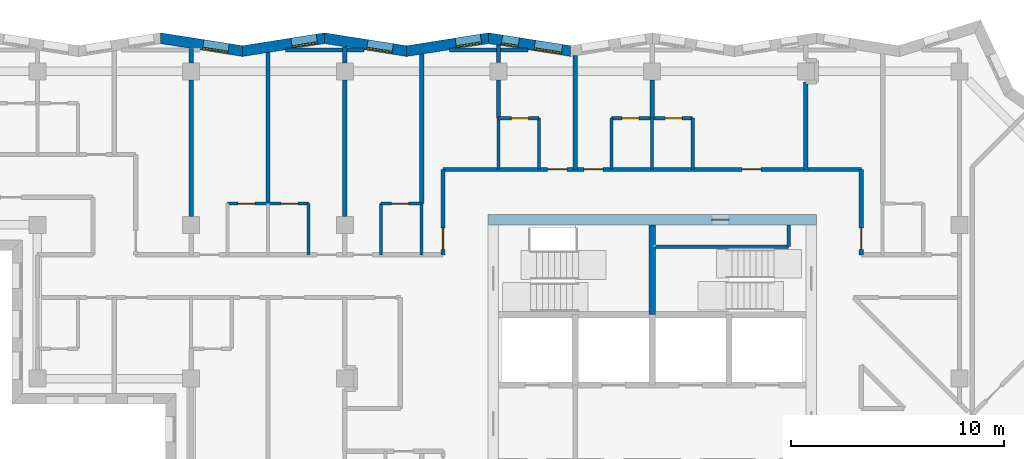
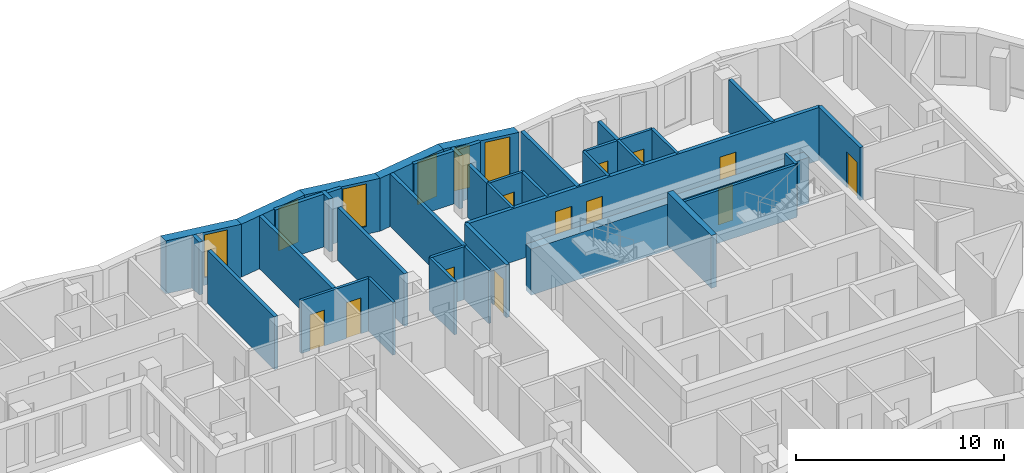
# One storey, part 7 of 13: 37 walls, 12 doors, 6 windows, 18 openings.
"""IFC4 building model written with IfcOpenShell, lengths in metres."""

from ifc_helpers import new_model, si_unit, direction, frame, frame_2d, origin, place, context, subcontext, project, spatial, polyline, rectangle, outline, extrude, material, layer, layer_set, type_object, element, fill, save


model = new_model("IFC4")

# Units and contexts
model_context = context("Model", 3, precision=1e-05, world=origin(), true_north=direction((0.0, 1.0)))
body_context = subcontext(model_context, "Body", "Model", "MODEL_VIEW")
ifc_project = project(units=[si_unit("LENGTHUNIT", "METRE"), si_unit("AREAUNIT", "SQUARE_METRE"), si_unit("VOLUMEUNIT", "CUBIC_METRE"), si_unit("PLANEANGLEUNIT", "RADIAN"), si_unit("MASSUNIT", "GRAM", prefix="KILO")], contexts=[model_context])

# Site, building, storey
site_placement = place(None, origin())
site = spatial("IfcSite", under=ifc_project, at=site_placement, CompositionType="ELEMENT")
building_placement = place(site_placement, origin())
building = spatial("IfcBuilding", under=site, at=building_placement, Name="Windrow Commons", CompositionType="ELEMENT")
storey_placement = place(building_placement, frame((0.0, 0.0, 223.6)))
storey = spatial("IfcBuildingStorey", under=building, at=storey_placement, Name="L61", CompositionType="ELEMENT", Elevation=223.6)

# Wall, openings, windows
ifc_material_1 = material(Name="Brick masonry, red clay brick", Category="masonry")
ifc_layer_1 = layer(ifc_material_1, 0.5)
ifc_layer_set_1 = layer_set([ifc_layer_1], Name="Brick facade wall 500")
wall_type_1 = type_object("IfcWallType", Name="Brick facade wall 500", PredefinedType="SOLIDWALL", material=ifc_layer_set_1)
wall_1_placement = place(storey_placement, frame((60.9817, 72.9469, 0.0), z_axis=(0.0, 0.0, 1.0), x_axis=(-0.9879113447, 0.155019918, 0.0)))
wall_1 = element("IfcWall", 1, at=wall_1_placement, inside=storey, type_object=wall_type_1, Name="Brick facade wall L61 22", PredefinedType="SOLIDWALL", context=body_context, shape_type="SweptSolid", body=[
    extrude(outline(polyline([(0.0392, -0.25), (3.929, -0.25), (3.8505, 0.25), (-0.0392, 0.25), (0.0392, -0.25)])), origin(), (0.0, 0.0, 1.0), 3.1),
])
opening_1_placement = place(wall_1_placement, frame((0.4115, 0.0, 0.45)))
opening_1 = element("IfcOpeningElement", 2, at=opening_1_placement, cuts=wall_1, Name="Opening W1Q", PredefinedType="OPENING", context=body_context, shape_type="SweptSolid", body=[
    extrude(rectangle(XDim=1.3, YDim=2.5, at=frame_2d((0.65, 1.25))), frame((0.0, 0.26, 0.0), z_axis=(0.0, -1.0, 0.0), x_axis=(1.0, 0.0, 0.0)), (0.0, 0.0, 1.0), 0.52),
])
opening_2_placement = place(wall_1_placement, frame((2.4624, 0.0, 0.45)))
opening_2 = element("IfcOpeningElement", 3, at=opening_2_placement, cuts=wall_1, Name="Opening W1N", PredefinedType="OPENING", context=body_context, shape_type="SweptSolid", body=[
    extrude(rectangle(XDim=0.8, YDim=2.5, at=frame_2d((0.4, 1.25))), frame((0.0, 0.26, 0.0), z_axis=(0.0, -1.0, 0.0), x_axis=(1.0, 0.0, 0.0)), (0.0, 0.0, 1.0), 0.52),
])
ifc_material_2 = material(Name="Clear float glass in anodised aluminium frame", Category="aluminium")
window_type_1 = type_object("IfcWindowType", Name="Window W1N slit 800x2500", PartitioningType="SINGLE_PANEL", PredefinedType="WINDOW", material=ifc_material_2)
window_1_placement = place(opening_2_placement, origin())
window_1 = element("IfcWindow", 4, at=window_1_placement, inside=storey, type_object=window_type_1, Name="Window L61 22.1BA", OverallHeight=2.5, OverallWidth=0.8, PartitioningType="SINGLE_PANEL", PredefinedType="WINDOW", context=body_context, shape_type="SweptSolid", body=[
    extrude(rectangle(XDim=0.8, YDim=2.5, at=frame_2d((0.4, 1.25))), frame((0.0, 0.18, 0.0), z_axis=(0.0, -1.0, 0.0), x_axis=(1.0, 0.0, 0.0)), (0.0, 0.0, 1.0), 0.06),
])
fill(opening_2, window_1)
ifc_material_3 = material(Name="Clear float glass in anodised aluminium frame", Category="aluminium")
window_type_2 = type_object("IfcWindowType", Name="Window W1Q pair 1300x2500", PartitioningType="SINGLE_PANEL", PredefinedType="WINDOW", material=ifc_material_3)
window_2_placement = place(opening_1_placement, origin())
window_2 = element("IfcWindow", 5, at=window_2_placement, inside=storey, type_object=window_type_2, Name="Window L61 22.1A", OverallHeight=2.5, OverallWidth=1.3, PartitioningType="SINGLE_PANEL", PredefinedType="WINDOW", context=body_context, shape_type="SweptSolid", body=[
    extrude(rectangle(XDim=1.3, YDim=2.5, at=frame_2d((0.65, 1.25))), frame((0.0, 0.18, 0.0), z_axis=(0.0, -1.0, 0.0), x_axis=(1.0, 0.0, 0.0)), (0.0, 0.0, 1.0), 0.06),
])
fill(opening_1, window_2)

# Wall, opening, window
wall_2_placement = place(storey_placement, frame((57.1389, 73.5499, 0.0), z_axis=(0.0, 0.0, 1.0), x_axis=(-0.9879107269, -0.1550238552, 0.0)))
wall_2 = element("IfcWall", 6, at=wall_2_placement, inside=storey, type_object=wall_type_1, Name="Brick facade wall L61 23", PredefinedType="SOLIDWALL", context=body_context, shape_type="SweptSolid", body=[
    extrude(outline(polyline([(-0.0392, -0.25), (3.8505, -0.25), (3.929, 0.25), (0.0392, 0.25), (-0.0392, -0.25)])), origin(), (0.0, 0.0, 1.0), 3.1),
])
opening_3_placement = place(wall_2_placement, frame((0.3583, 0.0, 0.45)))
opening_3 = element("IfcOpeningElement", 7, at=opening_3_placement, cuts=wall_2, Name="Opening W7E", PredefinedType="OPENING", context=body_context, shape_type="SweptSolid", body=[
    extrude(rectangle(XDim=1.2, YDim=2.5, at=frame_2d((0.6, 1.25))), frame((0.0, 0.26, 0.0), z_axis=(0.0, -1.0, 0.0), x_axis=(1.0, 0.0, 0.0)), (0.0, 0.0, 1.0), 0.52),
])
ifc_material_4 = material(Name="Clear float glass in anodised aluminium frame", Category="aluminium")
window_type_3 = type_object("IfcWindowType", Name="Window W7 notch 1200x2500", PartitioningType="SINGLE_PANEL", PredefinedType="WINDOW", material=ifc_material_4)
window_3_placement = place(opening_3_placement, origin())
window_3 = element("IfcWindow", 8, at=window_3_placement, inside=storey, type_object=window_type_3, Name="Window L61 23.1", OverallHeight=2.5, OverallWidth=1.2, PartitioningType="SINGLE_PANEL", PredefinedType="WINDOW", context=body_context, shape_type="SweptSolid", body=[
    extrude(rectangle(XDim=1.2, YDim=2.5, at=frame_2d((0.6, 1.25))), frame((0.0, 0.18, 0.0), z_axis=(0.0, -1.0, 0.0), x_axis=(1.0, 0.0, 0.0)), (0.0, 0.0, 1.0), 0.06),
])
fill(opening_3, window_3)

wall_3_placement = place(storey_placement, frame((53.2962, 72.9469, 0.0), z_axis=(0.0, 0.0, 1.0), x_axis=(-0.9879107269, 0.1550238552, 0.0)))
wall_3 = element("IfcWall", 9, at=wall_3_placement, inside=storey, type_object=wall_type_1, Name="Brick facade wall L61 24", PredefinedType="SOLIDWALL", context=body_context, shape_type="SweptSolid", body=[
    extrude(outline(polyline([(0.0392, -0.25), (3.929, -0.25), (3.8505, 0.25), (-0.0392, 0.25), (0.0392, -0.25)])), origin(), (0.0, 0.0, 1.0), 3.1),
])
opening_4_placement = place(wall_3_placement, frame((0.6658, 0.0, 0.45)))
opening_4 = element("IfcOpeningElement", 10, at=opening_4_placement, cuts=wall_3, Name="Opening W7E", PredefinedType="OPENING", context=body_context, shape_type="SweptSolid", body=[
    extrude(rectangle(XDim=1.2, YDim=2.5, at=frame_2d((0.6, 1.25))), frame((0.0, 0.26, 0.0), z_axis=(0.0, -1.0, 0.0), x_axis=(1.0, 0.0, 0.0)), (0.0, 0.0, 1.0), 0.52),
])
window_4_placement = place(opening_4_placement, origin())
window_4 = element("IfcWindow", 11, at=window_4_placement, inside=storey, type_object=window_type_3, Name="Window L61 24.1", OverallHeight=2.5, OverallWidth=1.2, PartitioningType="SINGLE_PANEL", PredefinedType="WINDOW", context=body_context, shape_type="SweptSolid", body=[
    extrude(rectangle(XDim=1.2, YDim=2.5, at=frame_2d((0.6, 1.25))), frame((0.0, 0.18, 0.0), z_axis=(0.0, -1.0, 0.0), x_axis=(1.0, 0.0, 0.0)), (0.0, 0.0, 1.0), 0.06),
])
fill(opening_4, window_4)

wall_4_placement = place(storey_placement, frame((49.4535, 73.5499, 0.0), z_axis=(0.0, 0.0, 1.0), x_axis=(-0.9879113447, -0.155019918, 0.0)))
wall_4 = element("IfcWall", 12, at=wall_4_placement, inside=storey, type_object=wall_type_1, Name="Brick facade wall L61 25", PredefinedType="SOLIDWALL", context=body_context, shape_type="SweptSolid", body=[
    extrude(outline(polyline([(-0.0392, -0.25), (3.8505, -0.25), (3.929, 0.25), (0.0392, 0.25), (-0.0392, -0.25)])), origin(), (0.0, 0.0, 1.0), 3.1),
])
opening_5_placement = place(wall_4_placement, frame((0.3626, 0.0, 0.45)))
opening_5 = element("IfcOpeningElement", 13, at=opening_5_placement, cuts=wall_4, Name="Opening W7E", PredefinedType="OPENING", context=body_context, shape_type="SweptSolid", body=[
    extrude(rectangle(XDim=1.2, YDim=2.5, at=frame_2d((0.6, 1.25))), frame((0.0, 0.26, 0.0), z_axis=(0.0, -1.0, 0.0), x_axis=(1.0, 0.0, 0.0)), (0.0, 0.0, 1.0), 0.52),
])
window_5_placement = place(opening_5_placement, origin())
window_5 = element("IfcWindow", 14, at=window_5_placement, inside=storey, type_object=window_type_3, Name="Window L61 25.1", OverallHeight=2.5, OverallWidth=1.2, PartitioningType="SINGLE_PANEL", PredefinedType="WINDOW", context=body_context, shape_type="SweptSolid", body=[
    extrude(rectangle(XDim=1.2, YDim=2.5, at=frame_2d((0.6, 1.25))), frame((0.0, 0.18, 0.0), z_axis=(0.0, -1.0, 0.0), x_axis=(1.0, 0.0, 0.0)), (0.0, 0.0, 1.0), 0.06),
])
fill(opening_5, window_5)

wall_5_placement = place(storey_placement, frame((45.6107, 72.9469, 0.0), z_axis=(0.0, 0.0, 1.0), x_axis=(-0.9879107269, 0.1550238552, 0.0)))
wall_5 = element("IfcWall", 15, at=wall_5_placement, inside=storey, type_object=wall_type_1, Name="Brick facade wall L61 26", PredefinedType="SOLIDWALL", context=body_context, shape_type="SweptSolid", body=[
    extrude(outline(polyline([(0.0392, -0.25), (3.929, -0.25), (3.8505, 0.25), (-0.0392, 0.25), (0.0392, -0.25)])), origin(), (0.0, 0.0, 1.0), 3.1),
])
opening_6_placement = place(wall_5_placement, frame((0.6701, 0.0, 0.45)))
opening_6 = element("IfcOpeningElement", 16, at=opening_6_placement, cuts=wall_5, Name="Opening W7E", PredefinedType="OPENING", context=body_context, shape_type="SweptSolid", body=[
    extrude(rectangle(XDim=1.2, YDim=2.5, at=frame_2d((0.6, 1.25))), frame((0.0, 0.26, 0.0), z_axis=(0.0, -1.0, 0.0), x_axis=(1.0, 0.0, 0.0)), (0.0, 0.0, 1.0), 0.52),
])
window_6_placement = place(opening_6_placement, origin())
window_6 = element("IfcWindow", 17, at=window_6_placement, inside=storey, type_object=window_type_3, Name="Window L61 26.1", OverallHeight=2.5, OverallWidth=1.2, PartitioningType="SINGLE_PANEL", PredefinedType="WINDOW", context=body_context, shape_type="SweptSolid", body=[
    extrude(rectangle(XDim=1.2, YDim=2.5, at=frame_2d((0.6, 1.25))), frame((0.0, 0.18, 0.0), z_axis=(0.0, -1.0, 0.0), x_axis=(1.0, 0.0, 0.0)), (0.0, 0.0, 1.0), 0.06),
])
fill(opening_6, window_6)

# Wall, openings, doors
ifc_material_5 = material(Name="Blockwork partition", Category="masonry")
ifc_layer_2 = layer(ifc_material_5, 0.2)
ifc_layer_set_2 = layer_set([ifc_layer_2], Name="IW-CORRIDOR-200")
wall_type_2 = type_object("IfcWallType", Name="IW-CORRIDOR-200", PredefinedType="PARTITIONING", material=ifc_layer_set_2)
wall_6_placement = place(storey_placement, frame((55.0, 67.4, 0.0), z_axis=(0.0, 0.0, 1.0), x_axis=(1.0, 0.0, 0.0)))
wall_6 = element("IfcWall", 18, at=wall_6_placement, inside=storey, type_object=wall_type_2, Name="W-L61-W000", PredefinedType="PARTITIONING", context=body_context, shape_type="SweptSolid", body=[
    extrude(rectangle(XDim=19.6, YDim=0.2, at=frame_2d((9.8, 0.0))), origin(), (0.0, 0.0, 1.0), 3.1),
])
opening_7_placement = place(wall_6_placement, frame((4.9, 0.0, 0.0)))
opening_7 = element("IfcOpeningElement", 19, at=opening_7_placement, cuts=wall_6, Name="Opening D109S", PredefinedType="OPENING", context=body_context, shape_type="SweptSolid", body=[
    extrude(rectangle(XDim=0.9, YDim=2.1, at=frame_2d((0.45, 1.05))), frame((0.0, 0.11, 0.0), z_axis=(0.0, -1.0, 0.0), x_axis=(1.0, 0.0, 0.0)), (0.0, 0.0, 1.0), 0.22),
])
opening_8_placement = place(wall_6_placement, frame((6.6, 0.0, 0.0)))
opening_8 = element("IfcOpeningElement", 20, at=opening_8_placement, cuts=wall_6, Name="Opening D109S", PredefinedType="OPENING", context=body_context, shape_type="SweptSolid", body=[
    extrude(rectangle(XDim=0.9, YDim=2.1, at=frame_2d((0.45, 1.05))), frame((0.0, 0.11, 0.0), z_axis=(0.0, -1.0, 0.0), x_axis=(1.0, 0.0, 0.0)), (0.0, 0.0, 1.0), 0.22),
])
opening_9_placement = place(wall_6_placement, frame((14.0006, 0.0, 0.0)))
opening_9 = element("IfcOpeningElement", 21, at=opening_9_placement, cuts=wall_6, Name="Opening D109F", PredefinedType="OPENING", context=body_context, shape_type="SweptSolid", body=[
    extrude(rectangle(XDim=0.9, YDim=2.1, at=frame_2d((0.45, 1.05))), frame((0.0, 0.11, 0.0), z_axis=(0.0, -1.0, 0.0), x_axis=(1.0, 0.0, 0.0)), (0.0, 0.0, 1.0), 0.22),
])
ifc_material_6 = material(Name="Timber door leaf", Category="wood")
door_type_1 = type_object("IfcDoorType", Name="DT-BEDROOM-900", OperationType="SINGLE_SWING_LEFT", PredefinedType="DOOR", material=ifc_material_6)
door_1_placement = place(opening_7_placement, origin())
door_1 = element("IfcDoor", 22, at=door_1_placement, inside=storey, type_object=door_type_1, Name="D-L61-D037", OperationType="SINGLE_SWING_RIGHT", OverallHeight=2.1, OverallWidth=0.9, PredefinedType="DOOR", context=body_context, shape_type="SweptSolid", body=[
    extrude(rectangle(XDim=0.9, YDim=2.1, at=frame_2d((0.45, 1.05))), frame((0.0, 0.025, 0.0), z_axis=(0.0, -1.0, 0.0), x_axis=(1.0, 0.0, 0.0)), (0.0, 0.0, 1.0), 0.05),
])
fill(opening_7, door_1)
door_2_placement = place(opening_8_placement, origin())
door_2 = element("IfcDoor", 23, at=door_2_placement, inside=storey, type_object=door_type_1, Name="D-L61-D039", OperationType="SINGLE_SWING_LEFT", OverallHeight=2.1, OverallWidth=0.9, PredefinedType="DOOR", context=body_context, shape_type="SweptSolid", body=[
    extrude(rectangle(XDim=0.9, YDim=2.1, at=frame_2d((0.45, 1.05))), frame((0.0, 0.025, 0.0), z_axis=(0.0, -1.0, 0.0), x_axis=(1.0, 0.0, 0.0)), (0.0, 0.0, 1.0), 0.05),
])
fill(opening_8, door_2)
door_3_placement = place(opening_9_placement, origin())
door_3 = element("IfcDoor", 24, at=door_3_placement, inside=storey, type_object=door_type_1, Name="D-L61-D041", OperationType="SINGLE_SWING_RIGHT", OverallHeight=2.1, OverallWidth=0.9, PredefinedType="DOOR", context=body_context, shape_type="SweptSolid", body=[
    extrude(rectangle(XDim=0.9, YDim=2.1, at=frame_2d((0.45, 1.05))), frame((0.0, 0.025, 0.0), z_axis=(0.0, -1.0, 0.0), x_axis=(1.0, 0.0, 0.0)), (0.0, 0.0, 1.0), 0.05),
])
fill(opening_9, door_3)

# Wall, opening, door
wall_7_placement = place(storey_placement, frame((55.0, 63.402, 0.0), z_axis=(0.0, 0.0, 1.0), x_axis=(0.0, 1.0, 0.0)))
wall_7 = element("IfcWall", 25, at=wall_7_placement, inside=storey, type_object=wall_type_2, Name="W-L61-W045", PredefinedType="PARTITIONING", context=body_context, shape_type="SweptSolid", body=[
    extrude(rectangle(XDim=3.998, YDim=0.2, at=frame_2d((1.999, 0.0))), origin(), (0.0, 0.0, 1.0), 3.1),
])
opening_10_placement = place(wall_7_placement, frame((0.2545, 0.0, 0.0)))
opening_10 = element("IfcOpeningElement", 26, at=opening_10_placement, cuts=wall_7, Name="Opening D310F", PredefinedType="OPENING", context=body_context, shape_type="SweptSolid", body=[
    extrude(rectangle(XDim=1.0, YDim=2.1, at=frame_2d((0.5, 1.05))), frame((0.0, 0.11, 0.0), z_axis=(0.0, -1.0, 0.0), x_axis=(1.0, 0.0, 0.0)), (0.0, 0.0, 1.0), 0.22),
])
ifc_material_7 = material(Name="Timber door leaf", Category="wood")
door_type_2 = type_object("IfcDoorType", Name="DT-AMENITY-1000", OperationType="SINGLE_SWING_LEFT", PredefinedType="DOOR", material=ifc_material_7)
door_4_placement = place(opening_10_placement, origin())
door_4 = element("IfcDoor", 27, at=door_4_placement, inside=storey, type_object=door_type_2, Name="D-L61-D021", OperationType="SINGLE_SWING_LEFT", OverallHeight=2.1, OverallWidth=1.0, PredefinedType="DOOR", context=body_context, shape_type="SweptSolid", body=[
    extrude(rectangle(XDim=1.0, YDim=2.1, at=frame_2d((0.5, 1.05))), frame((0.0, 0.025, 0.0), z_axis=(0.0, -1.0, 0.0), x_axis=(1.0, 0.0, 0.0)), (0.0, 0.0, 1.0), 0.05),
])
fill(opening_10, door_4)

wall_8_placement = place(storey_placement, frame((74.6, 63.402, 0.0), z_axis=(0.0, 0.0, 1.0), x_axis=(0.0, 1.0, 0.0)))
wall_8 = element("IfcWall", 28, at=wall_8_placement, inside=storey, type_object=wall_type_2, Name="W-L61-W046", PredefinedType="PARTITIONING", context=body_context, shape_type="SweptSolid", body=[
    extrude(rectangle(XDim=3.998, YDim=0.2, at=frame_2d((1.999, 0.0))), origin(), (0.0, 0.0, 1.0), 3.1),
])
opening_11_placement = place(wall_8_placement, frame((0.2545, 0.0, 0.0)))
opening_11 = element("IfcOpeningElement", 29, at=opening_11_placement, cuts=wall_8, Name="Opening D310F", PredefinedType="OPENING", context=body_context, shape_type="SweptSolid", body=[
    extrude(rectangle(XDim=1.0, YDim=2.1, at=frame_2d((0.5, 1.05))), frame((0.0, 0.11, 0.0), z_axis=(0.0, -1.0, 0.0), x_axis=(1.0, 0.0, 0.0)), (0.0, 0.0, 1.0), 0.22),
])
door_5_placement = place(opening_11_placement, origin())
door_5 = element("IfcDoor", 30, at=door_5_placement, inside=storey, type_object=door_type_2, Name="D-L61-D022", OperationType="SINGLE_SWING_RIGHT", OverallHeight=2.1, OverallWidth=1.0, PredefinedType="DOOR", context=body_context, shape_type="SweptSolid", body=[
    extrude(rectangle(XDim=1.0, YDim=2.1, at=frame_2d((0.5, 1.05))), frame((0.0, 0.025, 0.0), z_axis=(0.0, -1.0, 0.0), x_axis=(1.0, 0.0, 0.0)), (0.0, 0.0, 1.0), 0.05),
])
fill(opening_11, door_5)

# Wall, openings, doors
ifc_material_8 = material(Name="Blockwork partition", Category="masonry")
ifc_layer_3 = layer(ifc_material_8, 0.15)
ifc_layer_set_3 = layer_set([ifc_layer_3], Name="IW-ENSUITE-150")
wall_type_3 = type_object("IfcWallType", Name="IW-ENSUITE-150", PredefinedType="PARTITIONING", material=ifc_layer_set_3)
wall_9_placement = place(storey_placement, frame((44.9, 65.8, 0.0), z_axis=(0.0, 0.0, 1.0), x_axis=(1.0, 0.0, 0.0)))
wall_9 = element("IfcWall", 31, at=wall_9_placement, inside=storey, type_object=wall_type_3, Name="W-L61-W048", PredefinedType="PARTITIONING", context=body_context, shape_type="SweptSolid", body=[
    extrude(rectangle(XDim=3.8, YDim=0.15, at=frame_2d((1.9, 0.0))), origin(), (0.0, 0.0, 1.0), 3.1),
])
opening_12_placement = place(wall_9_placement, frame((0.4931, 0.0, 0.0)))
opening_12 = element("IfcOpeningElement", 32, at=opening_12_placement, cuts=wall_9, Name="Opening D208N", PredefinedType="OPENING", context=body_context, shape_type="SweptSolid", body=[
    extrude(rectangle(XDim=0.8, YDim=2.1, at=frame_2d((0.4, 1.05))), frame((0.0, 0.085, 0.0), z_axis=(0.0, -1.0, 0.0), x_axis=(1.0, 0.0, 0.0)), (0.0, 0.0, 1.0), 0.17),
])
opening_13_placement = place(wall_9_placement, frame((2.5069, 0.0, 0.0)))
opening_13 = element("IfcOpeningElement", 33, at=opening_13_placement, cuts=wall_9, Name="Opening D208N", PredefinedType="OPENING", context=body_context, shape_type="SweptSolid", body=[
    extrude(rectangle(XDim=0.8, YDim=2.1, at=frame_2d((0.4, 1.05))), frame((0.0, 0.085, 0.0), z_axis=(0.0, -1.0, 0.0), x_axis=(1.0, 0.0, 0.0)), (0.0, 0.0, 1.0), 0.17),
])
ifc_material_9 = material(Name="Timber door leaf", Category="wood")
door_type_3 = type_object("IfcDoorType", Name="DT-ENSUITE-800", OperationType="SINGLE_SWING_LEFT", PredefinedType="DOOR", material=ifc_material_9)
door_6_placement = place(opening_12_placement, origin())
door_6 = element("IfcDoor", 34, at=door_6_placement, inside=storey, type_object=door_type_3, Name="D-L61-D016", OperationType="SINGLE_SWING_RIGHT", OverallHeight=2.1, OverallWidth=0.8, PredefinedType="DOOR", context=body_context, shape_type="SweptSolid", body=[
    extrude(rectangle(XDim=0.8, YDim=2.1, at=frame_2d((0.4, 1.05))), frame((0.0, 0.025, 0.0), z_axis=(0.0, -1.0, 0.0), x_axis=(1.0, 0.0, 0.0)), (0.0, 0.0, 1.0), 0.05),
])
fill(opening_12, door_6)
door_7_placement = place(opening_13_placement, origin())
door_7 = element("IfcDoor", 35, at=door_7_placement, inside=storey, type_object=door_type_3, Name="D-L61-D018", OperationType="SINGLE_SWING_RIGHT", OverallHeight=2.1, OverallWidth=0.8, PredefinedType="DOOR", context=body_context, shape_type="SweptSolid", body=[
    extrude(rectangle(XDim=0.8, YDim=2.1, at=frame_2d((0.4, 1.05))), frame((0.0, 0.025, 0.0), z_axis=(0.0, -1.0, 0.0), x_axis=(1.0, 0.0, 0.0)), (0.0, 0.0, 1.0), 0.05),
])
fill(opening_13, door_7)

wall_10_placement = place(storey_placement, frame((62.9, 69.8, 0.0), z_axis=(0.0, 0.0, 1.0), x_axis=(1.0, 0.0, 0.0)))
wall_10 = element("IfcWall", 36, at=wall_10_placement, inside=storey, type_object=wall_type_3, Name="W-L61-W049", PredefinedType="PARTITIONING", context=body_context, shape_type="SweptSolid", body=[
    extrude(rectangle(XDim=3.8, YDim=0.15, at=frame_2d((1.9, 0.0))), origin(), (0.0, 0.0, 1.0), 3.1),
])
opening_14_placement = place(wall_10_placement, frame((0.4931, 0.0, 0.0)))
opening_14 = element("IfcOpeningElement", 37, at=opening_14_placement, cuts=wall_10, Name="Opening D208N", PredefinedType="OPENING", context=body_context, shape_type="SweptSolid", body=[
    extrude(rectangle(XDim=0.8, YDim=2.1, at=frame_2d((0.4, 1.05))), frame((0.0, 0.085, 0.0), z_axis=(0.0, -1.0, 0.0), x_axis=(1.0, 0.0, 0.0)), (0.0, 0.0, 1.0), 0.17),
])
opening_15_placement = place(wall_10_placement, frame((2.5069, 0.0, 0.0)))
opening_15 = element("IfcOpeningElement", 38, at=opening_15_placement, cuts=wall_10, Name="Opening D208N", PredefinedType="OPENING", context=body_context, shape_type="SweptSolid", body=[
    extrude(rectangle(XDim=0.8, YDim=2.1, at=frame_2d((0.4, 1.05))), frame((0.0, 0.085, 0.0), z_axis=(0.0, -1.0, 0.0), x_axis=(1.0, 0.0, 0.0)), (0.0, 0.0, 1.0), 0.17),
])
door_8_placement = place(opening_14_placement, origin())
door_8 = element("IfcDoor", 39, at=door_8_placement, inside=storey, type_object=door_type_3, Name="D-L61-D040", OperationType="SINGLE_SWING_RIGHT", OverallHeight=2.1, OverallWidth=0.8, PredefinedType="DOOR", context=body_context, shape_type="SweptSolid", body=[
    extrude(rectangle(XDim=0.8, YDim=2.1, at=frame_2d((0.4, 1.05))), frame((0.0, 0.025, 0.0), z_axis=(0.0, -1.0, 0.0), x_axis=(1.0, 0.0, 0.0)), (0.0, 0.0, 1.0), 0.05),
])
fill(opening_14, door_8)
door_9_placement = place(opening_15_placement, origin())
door_9 = element("IfcDoor", 40, at=door_9_placement, inside=storey, type_object=door_type_3, Name="D-L61-D042", OperationType="SINGLE_SWING_RIGHT", OverallHeight=2.1, OverallWidth=0.8, PredefinedType="DOOR", context=body_context, shape_type="SweptSolid", body=[
    extrude(rectangle(XDim=0.8, YDim=2.1, at=frame_2d((0.4, 1.05))), frame((0.0, 0.025, 0.0), z_axis=(0.0, -1.0, 0.0), x_axis=(1.0, 0.0, 0.0)), (0.0, 0.0, 1.0), 0.05),
])
fill(opening_15, door_9)

# Walls
for number, where, z_axis, x_axis, name in (
    (41, (48.7, 63.4, 0.0), (0.0, 0.0, 1.0), (0.0, 1.0, 0.0), "W-L61-W086"),
    (42, (52.1, 63.4, 0.0), (0.0, 0.0, 1.0), (0.0, 1.0, 0.0), "W-L61-W087"),
    (43, (54.0, 63.4, 0.0), (0.0, 0.0, 1.0), (0.0, 1.0, 0.0), "W-L61-W088"),
    (44, (59.5, 67.4, 0.0), (0.0, 0.0, 1.0), (0.0, 1.0, 0.0), "W-L61-W096"),
    (45, (57.6, 67.4, 0.0), (0.0, 0.0, 1.0), (0.0, 1.0, 0.0), "W-L61-W097"),
    (46, (62.9, 67.4, 0.0), (0.0, 0.0, 1.0), (0.0, 1.0, 0.0), "W-L61-W098"),
    (47, (64.8, 67.4, 0.0), (0.0, 0.0, 1.0), (0.0, 1.0, 0.0), "W-L61-W099"),
    (48, (66.7, 67.4, 0.0), (0.0, 0.0, 1.0), (0.0, 1.0, 0.0), "W-L61-W100"),
):
    element("IfcWall", number, at=place(storey_placement, frame(where, z_axis=z_axis, x_axis=x_axis)), inside=storey, type_object=wall_type_3, Name=name, PredefinedType="PARTITIONING", context=body_context, shape_type="SweptSolid", body=[
        extrude(rectangle(XDim=2.4, YDim=0.15, at=frame_2d((1.2, 0.0))), origin(), (0.0, 0.0, 1.0), 3.1),
    ])

# Wall, opening, door
wall_11_placement = place(storey_placement, frame((52.1, 65.8, 0.0), z_axis=(0.0, 0.0, 1.0), x_axis=(1.0, 0.0, 0.0)))
wall_11 = element("IfcWall", 49, at=wall_11_placement, inside=storey, type_object=wall_type_3, Name="W-L61-W119", PredefinedType="PARTITIONING", context=body_context, shape_type="SweptSolid", body=[
    extrude(rectangle(XDim=1.9, YDim=0.15, at=frame_2d((0.95, 0.0))), origin(), (0.0, 0.0, 1.0), 3.1),
])
opening_16_placement = place(wall_11_placement, frame((0.4931, 0.0, 0.0)))
opening_16 = element("IfcOpeningElement", 50, at=opening_16_placement, cuts=wall_11, Name="Opening D208N", PredefinedType="OPENING", context=body_context, shape_type="SweptSolid", body=[
    extrude(rectangle(XDim=0.8, YDim=2.1, at=frame_2d((0.4, 1.05))), frame((0.0, 0.085, 0.0), z_axis=(0.0, -1.0, 0.0), x_axis=(1.0, 0.0, 0.0)), (0.0, 0.0, 1.0), 0.17),
])
door_10_placement = place(opening_16_placement, origin())
door_10 = element("IfcDoor", 51, at=door_10_placement, inside=storey, type_object=door_type_3, Name="D-L61-D020", OperationType="SINGLE_SWING_RIGHT", OverallHeight=2.1, OverallWidth=0.8, PredefinedType="DOOR", context=body_context, shape_type="SweptSolid", body=[
    extrude(rectangle(XDim=0.8, YDim=2.1, at=frame_2d((0.4, 1.05))), frame((0.0, 0.025, 0.0), z_axis=(0.0, -1.0, 0.0), x_axis=(1.0, 0.0, 0.0)), (0.0, 0.0, 1.0), 0.05),
])
fill(opening_16, door_10)

wall_12_placement = place(storey_placement, frame((57.6, 69.8, 0.0), z_axis=(0.0, 0.0, 1.0), x_axis=(1.0, 0.0, 0.0)))
wall_12 = element("IfcWall", 52, at=wall_12_placement, inside=storey, type_object=wall_type_3, Name="W-L61-W122", PredefinedType="PARTITIONING", context=body_context, shape_type="SweptSolid", body=[
    extrude(rectangle(XDim=1.9, YDim=0.15, at=frame_2d((0.95, 0.0))), origin(), (0.0, 0.0, 1.0), 3.1),
])
opening_17_placement = place(wall_12_placement, frame((0.6069, 0.0, 0.0)))
opening_17 = element("IfcOpeningElement", 53, at=opening_17_placement, cuts=wall_12, Name="Opening D208N", PredefinedType="OPENING", context=body_context, shape_type="SweptSolid", body=[
    extrude(rectangle(XDim=0.8, YDim=2.1, at=frame_2d((0.4, 1.05))), frame((0.0, 0.085, 0.0), z_axis=(0.0, -1.0, 0.0), x_axis=(1.0, 0.0, 0.0)), (0.0, 0.0, 1.0), 0.17),
])
door_11_placement = place(opening_17_placement, origin())
door_11 = element("IfcDoor", 54, at=door_11_placement, inside=storey, type_object=door_type_3, Name="D-L61-D038", OperationType="SINGLE_SWING_RIGHT", OverallHeight=2.1, OverallWidth=0.8, PredefinedType="DOOR", context=body_context, shape_type="SweptSolid", body=[
    extrude(rectangle(XDim=0.8, YDim=2.1, at=frame_2d((0.4, 1.05))), frame((0.0, 0.025, 0.0), z_axis=(0.0, -1.0, 0.0), x_axis=(1.0, 0.0, 0.0)), (0.0, 0.0, 1.0), 0.05),
])
fill(opening_17, door_11)

# Walls
ifc_material_10 = material(Name="Blockwork partition", Category="masonry")
ifc_layer_4 = layer(ifc_material_10, 0.2)
ifc_layer_set_4 = layer_set([ifc_layer_4], Name="IW-PARTY-200")
wall_type_4 = type_object("IfcWallType", Name="IW-PARTY-200", PredefinedType="PARTITIONING", material=ifc_layer_set_4)
wall_13_placement = place(storey_placement, frame((46.8, 65.8, 0.0), z_axis=(0.0, 0.0, 1.0), x_axis=(0.0, 1.0, 0.0)))
element("IfcWall", 55, at=wall_13_placement, inside=storey, type_object=wall_type_4, Name="W-L61-W014", PredefinedType="PARTITIONING", context=body_context, shape_type="SweptSolid", body=[
    extrude(rectangle(XDim=7.0805, YDim=0.2, at=frame_2d((3.5402, 0.0))), origin(), (0.0, 0.0, 1.0), 3.1),
])
wall_14_placement = place(storey_placement, frame((54.0, 65.8, 0.0), z_axis=(0.0, 0.0, 1.0), x_axis=(0.0, 1.0, 0.0)))
element("IfcWall", 56, at=wall_14_placement, inside=storey, type_object=wall_type_4, Name="W-L61-W016", PredefinedType="PARTITIONING", context=body_context, shape_type="SweptSolid", body=[
    extrude(rectangle(XDim=7.0043, YDim=0.2, at=frame_2d((3.5021, 0.0))), origin(), (0.0, 0.0, 1.0), 3.1),
])
for number, where, z_axis, x_axis, name in (
    (57, (43.2, 65.2, 0.0), (0.0, 0.0, 1.0), (0.0, 1.0, 0.0), "W-L61-W022"),
    (58, (50.4, 65.2, 0.0), (0.0, 0.0, 1.0), (0.0, 1.0, 0.0), "W-L61-W023"),
):
    element("IfcWall", number, at=place(storey_placement, frame(where, z_axis=z_axis, x_axis=x_axis)), inside=storey, type_object=wall_type_4, Name=name, PredefinedType="PARTITIONING", context=body_context, shape_type="SweptSolid", body=[
        extrude(rectangle(XDim=6.4, YDim=0.2, at=frame_2d((3.2, 0.0))), origin(), (0.0, 0.0, 1.0), 3.1),
    ])
wall_15_placement = place(storey_placement, frame((61.2, 67.4, 0.0), z_axis=(0.0, 0.0, 1.0), x_axis=(0.0, 1.0, 0.0)))
element("IfcWall", 59, at=wall_15_placement, inside=storey, type_object=wall_type_4, Name="W-L61-W028", PredefinedType="PARTITIONING", context=body_context, shape_type="SweptSolid", body=[
    extrude(rectangle(XDim=5.3281, YDim=0.2, at=frame_2d((2.6641, 0.0))), origin(), (0.0, 0.0, 1.0), 3.1),
])
wall_16_placement = place(storey_placement, frame((72.0, 67.4, 0.0), z_axis=(0.0, 0.0, 1.0), x_axis=(0.0, 1.0, 0.0)))
element("IfcWall", 60, at=wall_16_placement, inside=storey, type_object=wall_type_4, Name="W-L61-W044", PredefinedType="PARTITIONING", context=body_context, shape_type="SweptSolid", body=[
    extrude(rectangle(XDim=4.096, YDim=0.2, at=frame_2d((2.048, 0.0))), origin(), (0.0, 0.0, 1.0), 3.1),
])
for number, where, z_axis, x_axis, name in (
    (61, (47.6115, 73.0, 0.0), (0.0, 0.0, 1.0), (1.0, 0.0, 0.0), "W-L61-W054"),
    (62, (55.297, 73.0, 0.0), (0.0, 0.0, 1.0), (1.0, 0.0, 0.0), "W-L61-W055"),
):
    element("IfcWall", number, at=place(storey_placement, frame(where, z_axis=z_axis, x_axis=x_axis)), inside=storey, type_object=wall_type_4, Name=name, PredefinedType="PARTITIONING", context=body_context, shape_type="SweptSolid", body=[
        extrude(rectangle(XDim=3.6839, YDim=0.2, at=frame_2d((1.8419, 0.0))), origin(), (0.0, 0.0, 1.0), 3.1),
    ])
for number, where, z_axis, x_axis, name in (
    (63, (57.6, 69.8, 0.0), (0.0, 0.0, 1.0), (0.0, 1.0, 0.0), "W-L61-W127"),
    (64, (64.8, 69.8, 0.0), (0.0, 0.0, 1.0), (0.0, 1.0, 0.0), "W-L61-W129"),
):
    element("IfcWall", number, at=place(storey_placement, frame(where, z_axis=z_axis, x_axis=x_axis)), inside=storey, type_object=wall_type_4, Name=name, PredefinedType="PARTITIONING", context=body_context, shape_type="SweptSolid", body=[
        extrude(rectangle(XDim=1.8, YDim=0.2, at=frame_2d((0.9, 0.0))), origin(), (0.0, 0.0, 1.0), 3.1),
    ])
wall_17_placement = place(storey_placement, frame((50.4, 72.4, 0.0), z_axis=(0.0, 0.0, 1.0), x_axis=(0.0, 1.0, 0.0)))
element("IfcWall", 65, at=wall_17_placement, inside=storey, type_object=wall_type_4, Name="W-L61-W150", PredefinedType="PARTITIONING", context=body_context, shape_type="SweptSolid", body=[
    extrude(rectangle(XDim=0.7484, YDim=0.2, at=frame_2d((0.3742, 0.0))), origin(), (0.0, 0.0, 1.0), 3.1),
])
wall_18_placement = place(storey_placement, frame((43.2, 72.4, 0.0), z_axis=(0.0, 0.0, 1.0), x_axis=(0.0, 1.0, 0.0)))
element("IfcWall", 66, at=wall_18_placement, inside=storey, type_object=wall_type_4, Name="W-L61-W155", PredefinedType="PARTITIONING", context=body_context, shape_type="SweptSolid", body=[
    extrude(rectangle(XDim=0.6722, YDim=0.2, at=frame_2d((0.3361, 0.0))), origin(), (0.0, 0.0, 1.0), 3.1),
])
wall_19_placement = place(storey_placement, frame((57.6, 72.4, 0.0), z_axis=(0.0, 0.0, 1.0), x_axis=(0.0, 1.0, 0.0)))
element("IfcWall", 67, at=wall_19_placement, inside=storey, type_object=wall_type_4, Name="W-L61-W158", PredefinedType="PARTITIONING", context=body_context, shape_type="SweptSolid", body=[
    extrude(rectangle(XDim=0.8245, YDim=0.2, at=frame_2d((0.4123, 0.0))), origin(), (0.0, 0.0, 1.0), 3.1),
])

# Wall, opening, door
ifc_material_11 = material(Name="Concrete C40/50", Category="concrete")
ifc_layer_5 = layer(ifc_material_11, 0.5)
ifc_layer_set_5 = layer_set([ifc_layer_5], Name="RC CORE WALL 500 C40/50")
wall_type_5 = type_object("IfcWallType", Name="RC CORE WALL 500 C40/50", PredefinedType="SHEAR", material=ifc_layer_set_5)
wall_20_placement = place(storey_placement, frame((57.1, 65.05, -0.3), z_axis=(0.0, 0.0, 1.0), x_axis=(1.0, 0.0, 0.0)))
wall_20 = element("IfcWall", 68, at=wall_20_placement, inside=storey, type_object=wall_type_5, Name="Core A wall outer-N", PredefinedType="SHEAR", context=body_context, shape_type="SweptSolid", body=[
    extrude(rectangle(XDim=15.4, YDim=0.5, at=frame_2d((7.7, 0.0))), origin(), (0.0, 0.0, 1.0), 2.7),
])
opening_18_placement = place(wall_20_placement, frame((10.5, 0.0, 0.3)))
opening_18 = element("IfcOpeningElement", 69, at=opening_18_placement, cuts=wall_20, Name="Opening D9", PredefinedType="OPENING", context=body_context, shape_type="SweptSolid", body=[
    extrude(rectangle(XDim=0.8, YDim=2.1, at=frame_2d((0.4, 1.05))), frame((0.0, 0.26, 0.0), z_axis=(0.0, -1.0, 0.0), x_axis=(1.0, 0.0, 0.0)), (0.0, 0.0, 1.0), 0.52),
])
ifc_material_12 = material(Name="Steel fire door leaf", Category="steel")
door_type_4 = type_object("IfcDoorType", Name="Riser access door 800", OperationType="SINGLE_SWING_LEFT", PredefinedType="DOOR", material=ifc_material_12)
door_12_placement = place(opening_18_placement, origin())
door_12 = element("IfcDoor", 70, at=door_12_placement, inside=storey, type_object=door_type_4, Name="Riser access door", OperationType="SINGLE_SWING_RIGHT", OverallHeight=2.1, OverallWidth=0.8, PredefinedType="DOOR", context=body_context, shape_type="SweptSolid", body=[
    extrude(rectangle(XDim=0.8, YDim=2.1, at=frame_2d((0.4, 1.05))), frame((0.0, 0.025, 0.0), z_axis=(0.0, -1.0, 0.0), x_axis=(1.0, 0.0, 0.0)), (0.0, 0.0, 1.0), 0.05),
])
fill(opening_18, door_12)

# Walls
ifc_material_13 = material(Name="Concrete C40/50", Category="concrete")
ifc_layer_6 = layer(ifc_material_13, 0.3)
ifc_layer_set_6 = layer_set([ifc_layer_6], Name="RC SHAFT WALL 300 C40/50")
wall_type_6 = type_object("IfcWallType", Name="RC SHAFT WALL 300 C40/50", PredefinedType="SOLIDWALL", material=ifc_layer_set_6)
wall_21_placement = place(storey_placement, frame((64.8, 60.6, 0.0), z_axis=(0.0, 0.0, 1.0), x_axis=(0.0, 1.0, 0.0)))
element("IfcWall", 71, at=wall_21_placement, inside=storey, type_object=wall_type_6, Name="Core A wall stair-mid", PredefinedType="SOLIDWALL", context=body_context, shape_type="SweptSolid", body=[
    extrude(rectangle(XDim=4.2, YDim=0.3, at=frame_2d((2.1, 0.0))), origin(), (0.0, 0.0, 1.0), 3.1),
])
ifc_material_14 = material(Name="Blockwork partition", Category="masonry")
ifc_layer_7 = layer(ifc_material_14, 0.15)
ifc_layer_set_7 = layer_set([ifc_layer_7], Name="Riser partition 150")
wall_type_7 = type_object("IfcWallType", Name="Riser partition 150", PredefinedType="PARTITIONING", material=ifc_layer_set_7)
wall_22_placement = place(storey_placement, frame((64.95, 63.78, 0.0), z_axis=(0.0, 0.0, 1.0), x_axis=(1.0, 0.0, 0.0)))
element("IfcWall", 72, at=wall_22_placement, inside=storey, type_object=wall_type_7, Name="W-core-strip-A-L61", PredefinedType="PARTITIONING", context=body_context, shape_type="SweptSolid", body=[
    extrude(rectangle(XDim=6.25, YDim=0.15, at=frame_2d((3.125, 0.0))), origin(), (0.0, 0.0, 1.0), 3.1),
])
wall_23_placement = place(storey_placement, frame((71.2, 63.78, 0.0), z_axis=(0.0, 0.0, 1.0), x_axis=(0.0, 1.0, 0.0)))
element("IfcWall", 73, at=wall_23_placement, inside=storey, type_object=wall_type_7, Name="W-core-stripx-A-L61-1", PredefinedType="PARTITIONING", context=body_context, shape_type="SweptSolid", body=[
    extrude(rectangle(XDim=1.02, YDim=0.15, at=frame_2d((0.51, 0.0))), origin(), (0.0, 0.0, 1.0), 3.1),
])

save(model, "model.ifc")
